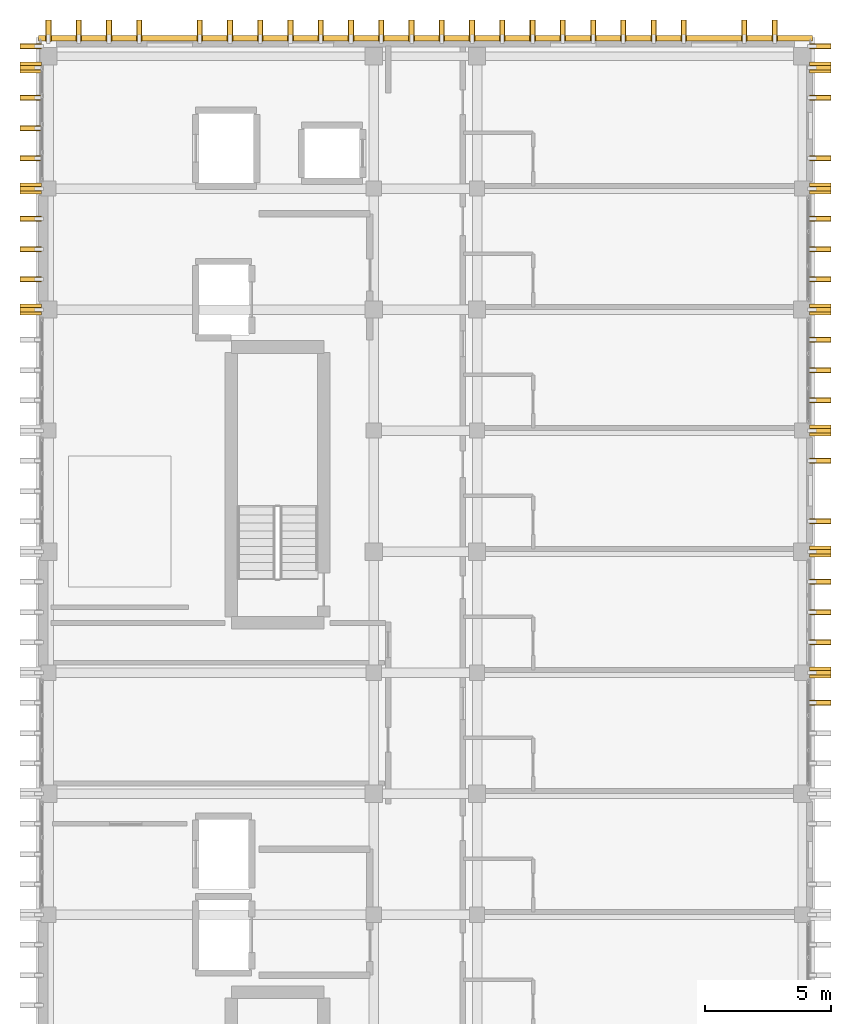
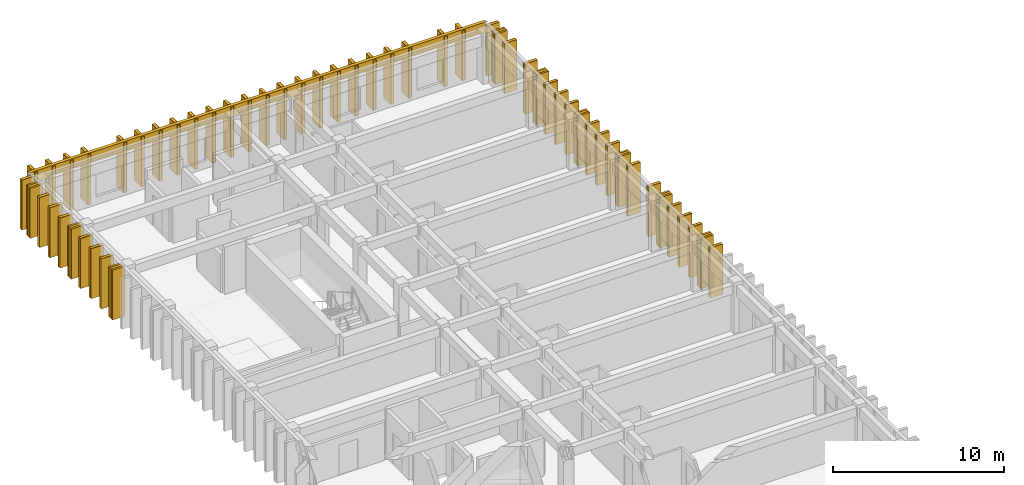
# One storey, part 53 of 53: 55 coverings, 54 shading devices.
"""IFC4 building model written with IfcOpenShell, lengths in metres."""

from ifc_helpers import new_model, si_unit, direction, frame, origin, origin_2d, place, context, subcontext, project, spatial, rectangle, extrude, material, layer, layer_set, type_object, element, save


model = new_model("IFC4")

# Units and contexts
model_context = context("Model", 3, precision=1e-05, world=origin(), true_north=direction((0.0, 1.0)))
body_context = subcontext(model_context, "Body", "Model", "MODEL_VIEW")
ifc_project = project(units=[si_unit("LENGTHUNIT", "METRE"), si_unit("AREAUNIT", "SQUARE_METRE"), si_unit("VOLUMEUNIT", "CUBIC_METRE"), si_unit("PLANEANGLEUNIT", "RADIAN"), si_unit("MASSUNIT", "GRAM", prefix="KILO")], contexts=[model_context])

# Site, building, storey
site_placement = place(None, origin())
site = spatial("IfcSite", under=ifc_project, at=site_placement, CompositionType="ELEMENT")
building_placement = place(site_placement, origin())
building = spatial("IfcBuilding", under=site, at=building_placement, Name="Nakhvara Creek Congress Hotel", CompositionType="ELEMENT")
storey_placement = place(building_placement, frame((0.0, 0.0, 35.39990234375)))
storey = spatial("IfcBuildingStorey", under=building, at=storey_placement, Name="L08", CompositionType="ELEMENT", Elevation=35.39990234375)

# Coverings
ifc_material_1 = material(Name="Honed pale Omani limestone architectural cladding", Category="masonry")
ifc_layer_1 = layer(ifc_material_1, 0.219970703125)
ifc_layer_set_1 = layer_set([ifc_layer_1], Name="Honed pale Omani limestone architectural cladding")
covering_type_1 = type_object("IfcCoveringType", Name="COV-FIN-850", PredefinedType="CLADDING", material=ifc_layer_set_1)
covering_1_placement = place(storey_placement, frame((180.054931640625, 99.60009765625, 0.0), z_axis=(0.0, 0.0, 1.0), x_axis=(0.0, 1.0, 0.0)))
element("IfcCovering", 1, at=covering_1_placement, inside=storey, type_object=covering_type_1, Name="Pale Limestone Fin Cladding CF01-2049", PredefinedType="CLADDING", context=body_context, shape_type="SweptSolid", body=[
    extrude(rectangle(XDim=0.219970703125, YDim=0.85009765625, at=origin_2d()), origin(), (0.0, 0.0, 1.0), 3.56005859375),
])
covering_2_placement = place(storey_placement, frame((180.054931640625, 100.800048828125, 0.0), z_axis=(0.0, 0.0, 1.0), x_axis=(0.0, 1.0, 0.0)))
element("IfcCovering", 2, at=covering_2_placement, inside=storey, type_object=covering_type_1, Name="Pale Limestone Fin Cladding CF01-2051", PredefinedType="CLADDING", context=body_context, shape_type="SweptSolid", body=[
    extrude(rectangle(XDim=0.43994140625, YDim=0.85009765625, at=origin_2d()), origin(), (0.0, 0.0, 1.0), 3.56005859375),
])
for number, where, z_axis, x_axis, name in (
    (3, (180.054931640625, 102.0, 0.0), (0.0, 0.0, 1.0), (0.0, 1.0, 0.0), "Pale Limestone Fin Cladding CF01-2053"),
    (4, (180.054931640625, 103.199951171875, 0.0), (0.0, 0.0, 1.0), (0.0, 1.0, 0.0), "Pale Limestone Fin Cladding CF01-2055"),
    (5, (180.054931640625, 104.39990234375, 0.0), (0.0, 0.0, 1.0), (0.0, 1.0, 0.0), "Pale Limestone Fin Cladding CF01-2057"),
):
    element("IfcCovering", number, at=place(storey_placement, frame(where, z_axis=z_axis, x_axis=x_axis)), inside=storey, type_object=covering_type_1, Name=name, PredefinedType="CLADDING", context=body_context, shape_type="SweptSolid", body=[
        extrude(rectangle(XDim=0.219970703125, YDim=0.85009765625, at=origin_2d()), origin(), (0.0, 0.0, 1.0), 3.56005859375),
    ])
covering_3_placement = place(storey_placement, frame((180.054931640625, 105.60009765625, 0.0), z_axis=(0.0, 0.0, 1.0), x_axis=(0.0, 1.0, 0.0)))
element("IfcCovering", 6, at=covering_3_placement, inside=storey, type_object=covering_type_1, Name="Pale Limestone Fin Cladding CF01-2059", PredefinedType="CLADDING", context=body_context, shape_type="SweptSolid", body=[
    extrude(rectangle(XDim=0.43994140625, YDim=0.85009765625, at=origin_2d()), origin(), (0.0, 0.0, 1.0), 3.56005859375),
])
for number, where, z_axis, x_axis, name in (
    (7, (180.054931640625, 106.800048828125, 0.0), (0.0, 0.0, 1.0), (0.0, 1.0, 0.0), "Pale Limestone Fin Cladding CF01-2061"),
    (8, (180.054931640625, 109.199951171875, 0.0), (0.0, 0.0, 1.0), (0.0, 1.0, 0.0), "Pale Limestone Fin Cladding CF01-2064"),
):
    element("IfcCovering", number, at=place(storey_placement, frame(where, z_axis=z_axis, x_axis=x_axis)), inside=storey, type_object=covering_type_1, Name=name, PredefinedType="CLADDING", context=body_context, shape_type="SweptSolid", body=[
        extrude(rectangle(XDim=0.219970703125, YDim=0.85009765625, at=origin_2d()), origin(), (0.0, 0.0, 1.0), 3.56005859375),
    ])
covering_4_placement = place(storey_placement, frame((180.054931640625, 110.39990234375, 0.0), z_axis=(0.0, 0.0, 1.0), x_axis=(0.0, 1.0, 0.0)))
element("IfcCovering", 9, at=covering_4_placement, inside=storey, type_object=covering_type_1, Name="Pale Limestone Fin Cladding CF01-2066", PredefinedType="CLADDING", context=body_context, shape_type="SweptSolid", body=[
    extrude(rectangle(XDim=0.43994140625, YDim=0.85009765625, at=origin_2d()), origin(), (0.0, 0.0, 1.0), 3.56005859375),
])
for number, where, z_axis, x_axis, name in (
    (10, (180.054931640625, 111.60009765625, 0.0), (0.0, 0.0, 1.0), (0.0, 1.0, 0.0), "Pale Limestone Fin Cladding CF01-2068"),
    (11, (180.054931640625, 112.800048828125, 0.0), (0.0, 0.0, 1.0), (0.0, 1.0, 0.0), "Pale Limestone Fin Cladding CF01-2070"),
    (12, (180.054931640625, 114.0, 0.0), (0.0, 0.0, 1.0), (0.0, 1.0, 0.0), "Pale Limestone Fin Cladding CF01-2072"),
):
    element("IfcCovering", number, at=place(storey_placement, frame(where, z_axis=z_axis, x_axis=x_axis)), inside=storey, type_object=covering_type_1, Name=name, PredefinedType="CLADDING", context=body_context, shape_type="SweptSolid", body=[
        extrude(rectangle(XDim=0.219970703125, YDim=0.85009765625, at=origin_2d()), origin(), (0.0, 0.0, 1.0), 3.56005859375),
    ])
for number, where, z_axis, x_axis, name in (
    (13, (180.054931640625, 115.199951171875, 0.0), (0.0, 0.0, 1.0), (0.0, 1.0, 0.0), "Pale Limestone Fin Cladding CF01-2074"),
    (14, (148.7451171875, 115.199951171875, 0.0), (0.0, 0.0, 1.0), (0.0, 1.0, 0.0), "Pale Limestone Fin Cladding CF01-2075"),
):
    element("IfcCovering", number, at=place(storey_placement, frame(where, z_axis=z_axis, x_axis=x_axis)), inside=storey, type_object=covering_type_1, Name=name, PredefinedType="CLADDING", context=body_context, shape_type="SweptSolid", body=[
        extrude(rectangle(XDim=0.43994140625, YDim=0.85009765625, at=origin_2d()), origin(), (0.0, 0.0, 1.0), 3.56005859375),
    ])
for number, where, z_axis, x_axis, name in (
    (15, (180.054931640625, 116.39990234375, 0.0), (0.0, 0.0, 1.0), (0.0, 1.0, 0.0), "Pale Limestone Fin Cladding CF01-2076"),
    (16, (148.7451171875, 116.39990234375, 0.0), (0.0, 0.0, 1.0), (0.0, 1.0, 0.0), "Pale Limestone Fin Cladding CF01-2077"),
    (17, (180.054931640625, 117.60009765625, 0.0), (0.0, 0.0, 1.0), (0.0, 1.0, 0.0), "Pale Limestone Fin Cladding CF01-2078"),
    (18, (148.7451171875, 117.60009765625, 0.0), (0.0, 0.0, 1.0), (0.0, 1.0, 0.0), "Pale Limestone Fin Cladding CF01-2079"),
    (19, (180.054931640625, 118.800048828125, 0.0), (0.0, 0.0, 1.0), (0.0, 1.0, 0.0), "Pale Limestone Fin Cladding CF01-2080"),
    (20, (148.7451171875, 118.800048828125, 0.0), (0.0, 0.0, 1.0), (0.0, 1.0, 0.0), "Pale Limestone Fin Cladding CF01-2081"),
):
    element("IfcCovering", number, at=place(storey_placement, frame(where, z_axis=z_axis, x_axis=x_axis)), inside=storey, type_object=covering_type_1, Name=name, PredefinedType="CLADDING", context=body_context, shape_type="SweptSolid", body=[
        extrude(rectangle(XDim=0.219970703125, YDim=0.85009765625, at=origin_2d()), origin(), (0.0, 0.0, 1.0), 3.56005859375),
    ])
for number, where, z_axis, x_axis, name in (
    (21, (180.054931640625, 120.0, 0.0), (0.0, 0.0, 1.0), (0.0, 1.0, 0.0), "Pale Limestone Fin Cladding CF01-2082"),
    (22, (148.7451171875, 120.0, 0.0), (0.0, 0.0, 1.0), (0.0, 1.0, 0.0), "Pale Limestone Fin Cladding CF01-2083"),
):
    element("IfcCovering", number, at=place(storey_placement, frame(where, z_axis=z_axis, x_axis=x_axis)), inside=storey, type_object=covering_type_1, Name=name, PredefinedType="CLADDING", context=body_context, shape_type="SweptSolid", body=[
        extrude(rectangle(XDim=0.43994140625, YDim=0.85009765625, at=origin_2d()), origin(), (0.0, 0.0, 1.0), 3.56005859375),
    ])
for number, where, z_axis, x_axis, name in (
    (23, (180.054931640625, 121.199951171875, 0.0), (0.0, 0.0, 1.0), (0.0, 1.0, 0.0), "Pale Limestone Fin Cladding CF01-2084"),
    (24, (148.7451171875, 121.199951171875, 0.0), (0.0, 0.0, 1.0), (0.0, 1.0, 0.0), "Pale Limestone Fin Cladding CF01-2085"),
    (25, (148.7451171875, 122.39990234375, 0.0), (0.0, 0.0, 1.0), (0.0, 1.0, 0.0), "Pale Limestone Fin Cladding CF01-2086"),
    (26, (180.054931640625, 123.60009765625, 0.0), (0.0, 0.0, 1.0), (0.0, 1.0, 0.0), "Pale Limestone Fin Cladding CF01-2087"),
    (27, (148.7451171875, 123.60009765625, 0.0), (0.0, 0.0, 1.0), (0.0, 1.0, 0.0), "Pale Limestone Fin Cladding CF01-2088"),
):
    element("IfcCovering", number, at=place(storey_placement, frame(where, z_axis=z_axis, x_axis=x_axis)), inside=storey, type_object=covering_type_1, Name=name, PredefinedType="CLADDING", context=body_context, shape_type="SweptSolid", body=[
        extrude(rectangle(XDim=0.219970703125, YDim=0.85009765625, at=origin_2d()), origin(), (0.0, 0.0, 1.0), 3.56005859375),
    ])
for number, where, z_axis, x_axis, name in (
    (28, (180.054931640625, 124.800048828125, 0.0), (0.0, 0.0, 1.0), (0.0, 1.0, 0.0), "Pale Limestone Fin Cladding CF01-2089"),
    (29, (148.7451171875, 124.800048828125, 0.0), (0.0, 0.0, 1.0), (0.0, 1.0, 0.0), "Pale Limestone Fin Cladding CF01-2090"),
):
    element("IfcCovering", number, at=place(storey_placement, frame(where, z_axis=z_axis, x_axis=x_axis)), inside=storey, type_object=covering_type_1, Name=name, PredefinedType="CLADDING", context=body_context, shape_type="SweptSolid", body=[
        extrude(rectangle(XDim=0.43994140625, YDim=0.85009765625, at=origin_2d()), origin(), (0.0, 0.0, 1.0), 3.56005859375),
    ])
for number, where, z_axis, x_axis, name in (
    (30, (180.054931640625, 125.64990234375, 0.0), (0.0, 0.0, 1.0), (0.0, 1.0, 0.0), "Pale Limestone Fin Cladding CF01-2091"),
    (31, (148.7451171875, 125.64990234375, 0.0), (0.0, 0.0, 1.0), (0.0, 1.0, 0.0), "Pale Limestone Fin Cladding CF01-2092"),
    (32, (149.449951171875, 126.264892578125, 0.0), (0.0, 0.0, 1.0), (1.0, 0.0, 0.0), "Pale Limestone Fin Cladding CF01-2093"),
    (33, (150.64990234375, 126.264892578125, 0.0), (0.0, 0.0, 1.0), (1.0, 0.0, 0.0), "Pale Limestone Fin Cladding CF01-2095"),
    (34, (151.85009765625, 126.264892578125, 0.0), (0.0, 0.0, 1.0), (1.0, 0.0, 0.0), "Pale Limestone Fin Cladding CF01-2097"),
    (35, (153.050048828125, 126.264892578125, 0.0), (0.0, 0.0, 1.0), (1.0, 0.0, 0.0), "Pale Limestone Fin Cladding CF01-2099"),
    (36, (155.449951171875, 126.264892578125, 0.0), (0.0, 0.0, 1.0), (1.0, 0.0, 0.0), "Pale Limestone Fin Cladding CF01-2101"),
    (37, (156.64990234375, 126.264892578125, 0.0), (0.0, 0.0, 1.0), (1.0, 0.0, 0.0), "Pale Limestone Fin Cladding CF01-2103"),
    (38, (157.85009765625, 126.264892578125, 0.0), (0.0, 0.0, 1.0), (1.0, 0.0, 0.0), "Pale Limestone Fin Cladding CF01-2105"),
    (39, (159.050048828125, 126.264892578125, 0.0), (0.0, 0.0, 1.0), (1.0, 0.0, 0.0), "Pale Limestone Fin Cladding CF01-2107"),
    (40, (160.25, 126.264892578125, 0.0), (0.0, 0.0, 1.0), (1.0, 0.0, 0.0), "Pale Limestone Fin Cladding CF01-2109"),
    (41, (161.449951171875, 126.264892578125, 0.0), (0.0, 0.0, 1.0), (1.0, 0.0, 0.0), "Pale Limestone Fin Cladding CF01-2111"),
    (42, (162.64990234375, 126.264892578125, 0.0), (0.0, 0.0, 1.0), (1.0, 0.0, 0.0), "Pale Limestone Fin Cladding CF01-2113"),
    (43, (163.85009765625, 126.264892578125, 0.0), (0.0, 0.0, 1.0), (1.0, 0.0, 0.0), "Pale Limestone Fin Cladding CF01-2114"),
    (44, (165.050048828125, 126.264892578125, 0.0), (0.0, 0.0, 1.0), (1.0, 0.0, 0.0), "Pale Limestone Fin Cladding CF01-2115"),
    (45, (166.25, 126.264892578125, 0.0), (0.0, 0.0, 1.0), (1.0, 0.0, 0.0), "Pale Limestone Fin Cladding CF01-2117"),
    (46, (167.449951171875, 126.264892578125, 0.0), (0.0, 0.0, 1.0), (1.0, 0.0, 0.0), "Pale Limestone Fin Cladding CF01-2119"),
    (47, (168.64990234375, 126.264892578125, 0.0), (0.0, 0.0, 1.0), (1.0, 0.0, 0.0), "Pale Limestone Fin Cladding CF01-2121"),
    (48, (169.85009765625, 126.264892578125, 0.0), (0.0, 0.0, 1.0), (1.0, 0.0, 0.0), "Pale Limestone Fin Cladding CF01-2122"),
    (49, (171.050048828125, 126.264892578125, 0.0), (0.0, 0.0, 1.0), (1.0, 0.0, 0.0), "Pale Limestone Fin Cladding CF01-2124"),
    (50, (172.25, 126.264892578125, 0.0), (0.0, 0.0, 1.0), (1.0, 0.0, 0.0), "Pale Limestone Fin Cladding CF01-2126"),
    (51, (173.449951171875, 126.264892578125, 0.0), (0.0, 0.0, 1.0), (1.0, 0.0, 0.0), "Pale Limestone Fin Cladding CF01-2128"),
    (52, (174.64990234375, 126.264892578125, 0.0), (0.0, 0.0, 1.0), (1.0, 0.0, 0.0), "Pale Limestone Fin Cladding CF01-2130"),
    (53, (177.050048828125, 126.264892578125, 0.0), (0.0, 0.0, 1.0), (1.0, 0.0, 0.0), "Pale Limestone Fin Cladding CF01-2133"),
    (54, (178.25, 126.264892578125, 0.0), (0.0, 0.0, 1.0), (1.0, 0.0, 0.0), "Pale Limestone Fin Cladding CF01-2135"),
):
    element("IfcCovering", number, at=place(storey_placement, frame(where, z_axis=z_axis, x_axis=x_axis)), inside=storey, type_object=covering_type_1, Name=name, PredefinedType="CLADDING", context=body_context, shape_type="SweptSolid", body=[
        extrude(rectangle(XDim=0.219970703125, YDim=0.85009765625, at=origin_2d()), origin(), (0.0, 0.0, 1.0), 3.56005859375),
    ])
ifc_layer_2 = layer(ifc_material_1, 0.179931640625)
ifc_layer_set_2 = layer_set([ifc_layer_2], Name="Honed pale Omani limestone architectural cladding")
covering_type_2 = type_object("IfcCoveringType", Name="COV-SPN-180", PredefinedType="CLADDING", material=ifc_layer_set_2)
covering_5_placement = place(storey_placement, frame((164.39990234375, 125.969970703125, 2.91015625), z_axis=(0.0, 0.0, 1.0), x_axis=(1.0, 0.0, 0.0)))
element("IfcCovering", 55, at=covering_5_placement, inside=storey, type_object=covering_type_2, Name="Pale Limestone Spandrel Band CF02-0075", PredefinedType="CLADDING", context=body_context, shape_type="SweptSolid", body=[
    extrude(rectangle(XDim=30.699951171875, YDim=0.219970703125, at=origin_2d()), origin(), (0.0, 0.0, 1.0), 0.72998046875),
])

# Shading devices
ifc_material_2 = material(Name="Honed pale Omani limestone cladding on stainless steel spine", Category="masonry")
shading_device_type = type_object("IfcShadingDeviceType", Name="SHD-FIN-850X3600", PredefinedType="USERDEFINED", material=ifc_material_2)
for number, where, z_axis, x_axis, name in (
    (56, (180.054931640625, 99.60009765625, 0.0), (0.0, 0.0, 1.0), (0.0, 1.0, 0.0), "Limestone Solar Fin FN01-1914"),
    (57, (180.054931640625, 100.800048828125, 0.0), (0.0, 0.0, 1.0), (0.0, 1.0, 0.0), "Limestone Solar Fin FN01-1916"),
    (58, (180.054931640625, 102.0, 0.0), (0.0, 0.0, 1.0), (0.0, 1.0, 0.0), "Limestone Solar Fin FN01-1918"),
    (59, (180.054931640625, 103.199951171875, 0.0), (0.0, 0.0, 1.0), (0.0, 1.0, 0.0), "Limestone Solar Fin FN01-1920"),
    (60, (180.054931640625, 104.39990234375, 0.0), (0.0, 0.0, 1.0), (0.0, 1.0, 0.0), "Limestone Solar Fin FN01-1922"),
    (61, (180.054931640625, 105.60009765625, 0.0), (0.0, 0.0, 1.0), (0.0, 1.0, 0.0), "Limestone Solar Fin FN01-1924"),
    (62, (180.054931640625, 106.800048828125, 0.0), (0.0, 0.0, 1.0), (0.0, 1.0, 0.0), "Limestone Solar Fin FN01-1926"),
    (63, (180.054931640625, 109.199951171875, 0.0), (0.0, 0.0, 1.0), (0.0, 1.0, 0.0), "Limestone Solar Fin FN01-1929"),
    (64, (180.054931640625, 110.39990234375, 0.0), (0.0, 0.0, 1.0), (0.0, 1.0, 0.0), "Limestone Solar Fin FN01-1931"),
    (65, (180.054931640625, 111.60009765625, 0.0), (0.0, 0.0, 1.0), (0.0, 1.0, 0.0), "Limestone Solar Fin FN01-1933"),
    (66, (180.054931640625, 112.800048828125, 0.0), (0.0, 0.0, 1.0), (0.0, 1.0, 0.0), "Limestone Solar Fin FN01-1935"),
    (67, (180.054931640625, 114.0, 0.0), (0.0, 0.0, 1.0), (0.0, 1.0, 0.0), "Limestone Solar Fin FN01-1937"),
    (68, (180.054931640625, 115.199951171875, 0.0), (0.0, 0.0, 1.0), (0.0, 1.0, 0.0), "Limestone Solar Fin FN01-1939"),
    (69, (148.7451171875, 115.199951171875, 0.0), (0.0, 0.0, 1.0), (0.0, 1.0, 0.0), "Limestone Solar Fin FN01-1940"),
    (70, (180.054931640625, 116.39990234375, 0.0), (0.0, 0.0, 1.0), (0.0, 1.0, 0.0), "Limestone Solar Fin FN01-1941"),
    (71, (148.7451171875, 116.39990234375, 0.0), (0.0, 0.0, 1.0), (0.0, 1.0, 0.0), "Limestone Solar Fin FN01-1942"),
    (72, (180.054931640625, 117.60009765625, 0.0), (0.0, 0.0, 1.0), (0.0, 1.0, 0.0), "Limestone Solar Fin FN01-1943"),
    (73, (148.7451171875, 117.60009765625, 0.0), (0.0, 0.0, 1.0), (0.0, 1.0, 0.0), "Limestone Solar Fin FN01-1944"),
    (74, (180.054931640625, 118.800048828125, 0.0), (0.0, 0.0, 1.0), (0.0, 1.0, 0.0), "Limestone Solar Fin FN01-1945"),
    (75, (148.7451171875, 118.800048828125, 0.0), (0.0, 0.0, 1.0), (0.0, 1.0, 0.0), "Limestone Solar Fin FN01-1946"),
    (76, (180.054931640625, 120.0, 0.0), (0.0, 0.0, 1.0), (0.0, 1.0, 0.0), "Limestone Solar Fin FN01-1947"),
    (77, (148.7451171875, 120.0, 0.0), (0.0, 0.0, 1.0), (0.0, 1.0, 0.0), "Limestone Solar Fin FN01-1948"),
    (78, (180.054931640625, 121.199951171875, 0.0), (0.0, 0.0, 1.0), (0.0, 1.0, 0.0), "Limestone Solar Fin FN01-1949"),
    (79, (148.7451171875, 121.199951171875, 0.0), (0.0, 0.0, 1.0), (0.0, 1.0, 0.0), "Limestone Solar Fin FN01-1950"),
    (80, (148.7451171875, 122.39990234375, 0.0), (0.0, 0.0, 1.0), (0.0, 1.0, 0.0), "Limestone Solar Fin FN01-1951"),
    (81, (180.054931640625, 123.60009765625, 0.0), (0.0, 0.0, 1.0), (0.0, 1.0, 0.0), "Limestone Solar Fin FN01-1952"),
    (82, (148.7451171875, 123.60009765625, 0.0), (0.0, 0.0, 1.0), (0.0, 1.0, 0.0), "Limestone Solar Fin FN01-1953"),
    (83, (180.054931640625, 124.800048828125, 0.0), (0.0, 0.0, 1.0), (0.0, 1.0, 0.0), "Limestone Solar Fin FN01-1954"),
    (84, (148.7451171875, 124.800048828125, 0.0), (0.0, 0.0, 1.0), (0.0, 1.0, 0.0), "Limestone Solar Fin FN01-1955"),
    (85, (180.054931640625, 125.64990234375, 0.0), (0.0, 0.0, 1.0), (0.0, 1.0, 0.0), "Limestone Solar Fin FN01-1956"),
    (86, (148.7451171875, 125.64990234375, 0.0), (0.0, 0.0, 1.0), (0.0, 1.0, 0.0), "Limestone Solar Fin FN01-1957"),
    (87, (149.449951171875, 126.264892578125, 0.0), (0.0, 0.0, 1.0), (1.0, 0.0, 0.0), "Limestone Solar Fin FN01-1958"),
    (88, (150.64990234375, 126.264892578125, 0.0), (0.0, 0.0, 1.0), (1.0, 0.0, 0.0), "Limestone Solar Fin FN01-1960"),
    (89, (151.85009765625, 126.264892578125, 0.0), (0.0, 0.0, 1.0), (1.0, 0.0, 0.0), "Limestone Solar Fin FN01-1962"),
    (90, (153.050048828125, 126.264892578125, 0.0), (0.0, 0.0, 1.0), (1.0, 0.0, 0.0), "Limestone Solar Fin FN01-1964"),
    (91, (155.449951171875, 126.264892578125, 0.0), (0.0, 0.0, 1.0), (1.0, 0.0, 0.0), "Limestone Solar Fin FN01-1966"),
    (92, (156.64990234375, 126.264892578125, 0.0), (0.0, 0.0, 1.0), (1.0, 0.0, 0.0), "Limestone Solar Fin FN01-1968"),
    (93, (157.85009765625, 126.264892578125, 0.0), (0.0, 0.0, 1.0), (1.0, 0.0, 0.0), "Limestone Solar Fin FN01-1970"),
    (94, (159.050048828125, 126.264892578125, 0.0), (0.0, 0.0, 1.0), (1.0, 0.0, 0.0), "Limestone Solar Fin FN01-1972"),
    (95, (160.25, 126.264892578125, 0.0), (0.0, 0.0, 1.0), (1.0, 0.0, 0.0), "Limestone Solar Fin FN01-1974"),
    (96, (161.449951171875, 126.264892578125, 0.0), (0.0, 0.0, 1.0), (1.0, 0.0, 0.0), "Limestone Solar Fin FN01-1976"),
    (97, (162.64990234375, 126.264892578125, 0.0), (0.0, 0.0, 1.0), (1.0, 0.0, 0.0), "Limestone Solar Fin FN01-1978"),
    (98, (163.85009765625, 126.264892578125, 0.0), (0.0, 0.0, 1.0), (1.0, 0.0, 0.0), "Limestone Solar Fin FN01-1979"),
    (99, (165.050048828125, 126.264892578125, 0.0), (0.0, 0.0, 1.0), (1.0, 0.0, 0.0), "Limestone Solar Fin FN01-1980"),
    (100, (166.25, 126.264892578125, 0.0), (0.0, 0.0, 1.0), (1.0, 0.0, 0.0), "Limestone Solar Fin FN01-1982"),
    (101, (167.449951171875, 126.264892578125, 0.0), (0.0, 0.0, 1.0), (1.0, 0.0, 0.0), "Limestone Solar Fin FN01-1984"),
    (102, (168.64990234375, 126.264892578125, 0.0), (0.0, 0.0, 1.0), (1.0, 0.0, 0.0), "Limestone Solar Fin FN01-1986"),
    (103, (169.85009765625, 126.264892578125, 0.0), (0.0, 0.0, 1.0), (1.0, 0.0, 0.0), "Limestone Solar Fin FN01-1987"),
    (104, (171.050048828125, 126.264892578125, 0.0), (0.0, 0.0, 1.0), (1.0, 0.0, 0.0), "Limestone Solar Fin FN01-1989"),
    (105, (172.25, 126.264892578125, 0.0), (0.0, 0.0, 1.0), (1.0, 0.0, 0.0), "Limestone Solar Fin FN01-1991"),
    (106, (173.449951171875, 126.264892578125, 0.0), (0.0, 0.0, 1.0), (1.0, 0.0, 0.0), "Limestone Solar Fin FN01-1993"),
    (107, (174.64990234375, 126.264892578125, 0.0), (0.0, 0.0, 1.0), (1.0, 0.0, 0.0), "Limestone Solar Fin FN01-1995"),
    (108, (177.050048828125, 126.264892578125, 0.0), (0.0, 0.0, 1.0), (1.0, 0.0, 0.0), "Limestone Solar Fin FN01-1998"),
    (109, (178.25, 126.264892578125, 0.0), (0.0, 0.0, 1.0), (1.0, 0.0, 0.0), "Limestone Solar Fin FN01-2000"),
):
    element("IfcShadingDevice", number, at=place(storey_placement, frame(where, z_axis=z_axis, x_axis=x_axis)), inside=storey, type_object=shading_device_type, Name=name, ObjectType="FIN", PredefinedType="USERDEFINED", context=body_context, shape_type="SweptSolid", body=[
        extrude(rectangle(XDim=0.179931640625, YDim=0.85009765625, at=origin_2d()), origin(), (0.0, 0.0, 1.0), 3.56005859375),
    ])

save(model, "model.ifc")
